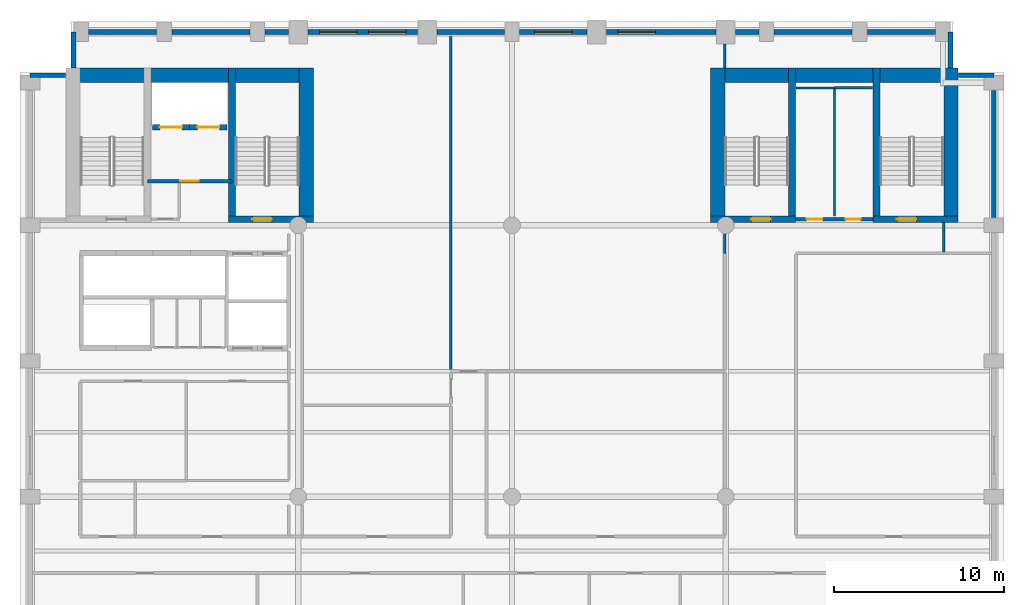
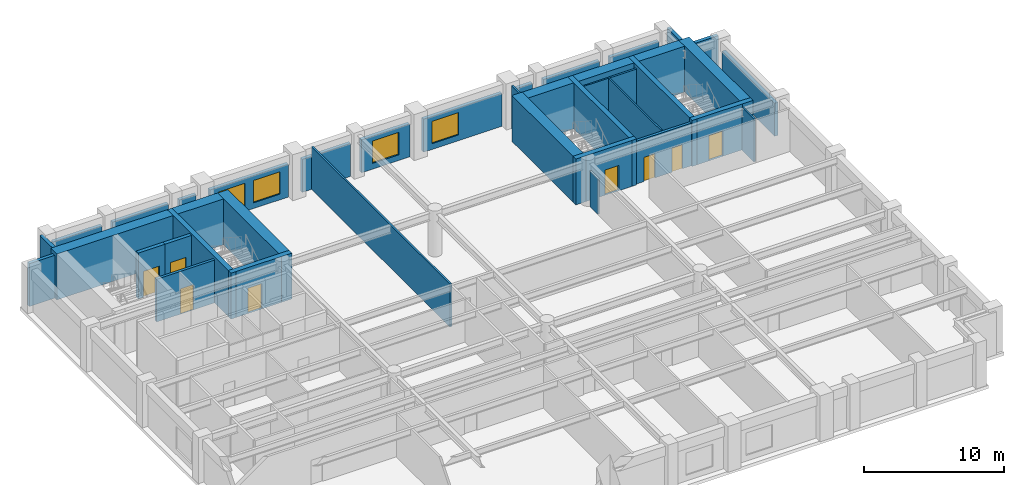
# One storey, part 5 of 8: 37 walls, 8 doors, 4 windows, 12 openings.
"""IFC4 building model written with IfcOpenShell, lengths in metres."""

from ifc_helpers import new_model, si_unit, direction, frame, frame_2d, origin, place, context, subcontext, project, spatial, rectangle, extrude, material, layer, layer_set, type_object, element, fill, save


model = new_model("IFC4")

# Units and contexts
model_context = context("Model", 3, precision=1e-05, world=origin(), true_north=direction((0.0, 1.0)))
body_context = subcontext(model_context, "Body", "Model", "MODEL_VIEW")
ifc_project = project(units=[si_unit("LENGTHUNIT", "METRE"), si_unit("AREAUNIT", "SQUARE_METRE"), si_unit("VOLUMEUNIT", "CUBIC_METRE"), si_unit("PLANEANGLEUNIT", "RADIAN"), si_unit("MASSUNIT", "GRAM", prefix="KILO")], contexts=[model_context])

# Site, building, storey
site_placement = place(None, origin())
site = spatial("IfcSite", under=ifc_project, at=site_placement, CompositionType="ELEMENT")
building_placement = place(site_placement, origin())
building = spatial("IfcBuilding", under=site, at=building_placement, Name="Sulina Concourse Tower", CompositionType="ELEMENT")
storey_placement = place(building_placement, frame((0.0, 0.0, 108.60009765625)))
storey = spatial("IfcBuildingStorey", under=building, at=storey_placement, Name="L26", CompositionType="ELEMENT", Elevation=108.60009765625)

# Wall, opening, door
ifc_material_1 = material(Name="Concrete C50/60", Category="concrete")
ifc_layer_1 = layer(ifc_material_1, 0.300048828125)
ifc_layer_set_1 = layer_set([ifc_layer_1], Name="Concrete C50/60")
wall_type_1 = type_object("IfcWallType", Name="Core Lift Hoistway Wall 300mm", PredefinedType="SOLIDWALL", material=ifc_layer_set_1)
wall_1_placement = place(storey_placement, frame((10.0, 39.780029296875, 0.0), z_axis=(0.0, 0.0, 1.0), x_axis=(-1.0, 0.0, 0.0)))
wall_1 = element("IfcWall", 1, at=wall_1_placement, inside=storey, type_object=wall_type_1, Name="L26 hoistway enclosure wall FFL-1", PredefinedType="SOLIDWALL", context=body_context, shape_type="SweptSolid", body=[
    extrude(rectangle(XDim=2.199951171875, YDim=0.300048828125, at=frame_2d((1.10009765625, 0.0))), origin(), (0.0, 0.0, 1.0), 4.0),
])
opening_1_placement = place(wall_1_placement, frame((0.449951171875, 0.0, 0.0)))
opening_1 = element("IfcOpeningElement", 2, at=opening_1_placement, cuts=wall_1, Name="Opening LD-02", PredefinedType="OPENING", context=body_context, shape_type="SweptSolid", body=[
    extrude(rectangle(XDim=1.300048828125, YDim=2.25, at=frame_2d((0.64990234375, 1.125))), frame((0.0, 0.159912109375, 0.0), z_axis=(0.0, -1.0, 0.0), x_axis=(1.0, 0.0, 0.0)), (0.0, 0.0, 1.0), 0.320068359375),
])
ifc_material_2 = material(Name="Stainless steel lift landing door", Category="steel")
ifc_layer_2 = layer(ifc_material_2, 0.050048828125)
ifc_layer_set_2 = layer_set([ifc_layer_2], Name="Stainless steel lift landing door")
door_type_1 = type_object("IfcDoorType", Name="Firefighting Lift Sliding Landing Door 1300x2250", OperationType="SLIDING_TO_RIGHT", PredefinedType="DOOR", material=ifc_layer_set_2)
door_1_placement = place(opening_1_placement, origin())
door_1 = element("IfcDoor", 3, at=door_1_placement, inside=storey, type_object=door_type_1, Name="L26 lift landing sliding door FFL-1", OperationType="SLIDING_TO_LEFT", OverallHeight=2.25, OverallWidth=1.300048828125, PredefinedType="DOOR", context=body_context, shape_type="SweptSolid", body=[
    extrude(rectangle(XDim=1.300048828125, YDim=2.25, at=frame_2d((0.64990234375, 1.125))), frame((0.0, 0.02490234375, 0.0), z_axis=(0.0, -1.0, 0.0), x_axis=(1.0, 0.0, 0.0)), (0.0, 0.0, 1.0), 0.050048828125),
])
fill(opening_1, door_1)

wall_2_placement = place(storey_placement, frame((12.199951171875, 39.780029296875, 0.0), z_axis=(0.0, 0.0, 1.0), x_axis=(-1.0, 0.0, 0.0)))
wall_2 = element("IfcWall", 4, at=wall_2_placement, inside=storey, type_object=wall_type_1, Name="L26 hoistway enclosure wall FFL-2", PredefinedType="SOLIDWALL", context=body_context, shape_type="SweptSolid", body=[
    extrude(rectangle(XDim=2.199951171875, YDim=0.300048828125, at=frame_2d((1.10009765625, 0.0))), origin(), (0.0, 0.0, 1.0), 4.0),
])
opening_2_placement = place(wall_2_placement, frame((0.449951171875, 0.0, 0.0)))
opening_2 = element("IfcOpeningElement", 5, at=opening_2_placement, cuts=wall_2, Name="Opening LD-02", PredefinedType="OPENING", context=body_context, shape_type="SweptSolid", body=[
    extrude(rectangle(XDim=1.300048828125, YDim=2.25, at=frame_2d((0.64990234375, 1.125))), frame((0.0, 0.159912109375, 0.0), z_axis=(0.0, -1.0, 0.0), x_axis=(1.0, 0.0, 0.0)), (0.0, 0.0, 1.0), 0.320068359375),
])
door_2_placement = place(opening_2_placement, origin())
door_2 = element("IfcDoor", 6, at=door_2_placement, inside=storey, type_object=door_type_1, Name="L26 lift landing sliding door FFL-2", OperationType="SLIDING_TO_RIGHT", OverallHeight=2.25, OverallWidth=1.300048828125, PredefinedType="DOOR", context=body_context, shape_type="SweptSolid", body=[
    extrude(rectangle(XDim=1.300048828125, YDim=2.25, at=frame_2d((0.64990234375, 1.125))), frame((0.0, 0.02490234375, 0.0), z_axis=(0.0, -1.0, 0.0), x_axis=(1.0, 0.0, 0.0)), (0.0, 0.0, 1.0), 0.050048828125),
])
fill(opening_2, door_2)

ifc_material_3 = material(Name="Gypsum board on steel stud", Category="steel")
ifc_layer_3 = layer(ifc_material_3, 0.219970703125)
ifc_layer_set_3 = layer_set([ifc_layer_3], Name="Gypsum board on steel stud")
wall_type_2 = type_object("IfcWallType", Name="Fire-Rated Lobby & Compartment Wall 220mm", PredefinedType="PARTITIONING", material=ifc_layer_set_3)
wall_3_placement = place(storey_placement, frame((7.510009765625, 36.60009765625, 0.0), z_axis=(0.0, 0.0, 1.0), x_axis=(1.0, 0.0, 0.0)))
wall_3 = element("IfcWall", 7, at=wall_3_placement, inside=storey, type_object=wall_type_2, Name="L26 firefighting lobby south fire wall", PredefinedType="PARTITIONING", context=body_context, shape_type="SweptSolid", body=[
    extrude(rectangle(XDim=4.97998046875, YDim=0.219970703125, at=frame_2d((2.489990234375, 0.0))), origin(), (0.0, 0.0, 1.0), 3.724853515625),
])
opening_3_placement = place(wall_3_placement, frame((1.93994140625, 0.0, 0.0)))
opening_3 = element("IfcOpeningElement", 8, at=opening_3_placement, cuts=wall_3, Name="Opening DR-47", PredefinedType="OPENING", context=body_context, shape_type="SweptSolid", body=[
    extrude(rectangle(XDim=1.10009765625, YDim=2.199951171875, at=frame_2d((0.550048828125, 1.10009765625))), frame((0.0, 0.119873046875, 0.0), z_axis=(0.0, -1.0, 0.0), x_axis=(1.0, 0.0, 0.0)), (0.0, 0.0, 1.0), 0.239990234375),
])
ifc_material_4 = material(Name="Galvanised steel acoustic fire leaf", Category="steel")
ifc_layer_4 = layer(ifc_material_4, 0.054931640625)
ifc_layer_set_4 = layer_set([ifc_layer_4], Name="Galvanised steel acoustic fire leaf")
door_type_2 = type_object("IfcDoorType", Name="Firefighting Lobby Fire Door 1100x2200", OperationType="NOTDEFINED", PredefinedType="DOOR", material=ifc_layer_set_4)
door_3_placement = place(opening_3_placement, origin())
door_3 = element("IfcDoor", 9, at=door_3_placement, inside=storey, type_object=door_type_2, Name="L26 firefighting lobby fire door", OperationType="SINGLE_SWING_LEFT", OverallHeight=2.199951171875, OverallWidth=1.10009765625, PredefinedType="DOOR", context=body_context, shape_type="SweptSolid", body=[
    extrude(rectangle(XDim=1.10009765625, YDim=2.199951171875, at=frame_2d((0.550048828125, 1.10009765625))), frame((0.0, 0.02490234375, 0.0), z_axis=(0.0, -1.0, 0.0), x_axis=(1.0, 0.0, 0.0)), (0.0, 0.0, 1.0), 0.050048828125),
])
fill(opening_3, door_3)

# Wall, openings, doors
wall_4_placement = place(storey_placement, frame((45.719970703125, 34.35009765625, 0.0), z_axis=(0.0, 0.0, 1.0), x_axis=(1.0, 0.0, 0.0)))
wall_4 = element("IfcWall", 10, at=wall_4_placement, inside=storey, type_object=wall_type_2, Name="L26 east core south lobby wall", PredefinedType="PARTITIONING", context=body_context, shape_type="SweptSolid", body=[
    extrude(rectangle(XDim=4.56005859375, YDim=0.219970703125, at=frame_2d((2.280029296875, 0.0))), origin(), (0.0, 0.0, 1.0), 3.724853515625),
])
opening_4_placement = place(wall_4_placement, frame((0.64990234375, 0.0, 0.0)))
opening_4 = element("IfcOpeningElement", 11, at=opening_4_placement, cuts=wall_4, Name="Opening DR-61", PredefinedType="OPENING", context=body_context, shape_type="SweptSolid", body=[
    extrude(rectangle(XDim=0.919921875, YDim=2.10009765625, at=frame_2d((0.4599609375, 1.050048828125))), frame((0.0, 0.119873046875, 0.0), z_axis=(0.0, -1.0, 0.0), x_axis=(1.0, 0.0, 0.0)), (0.0, 0.0, 1.0), 0.239990234375),
])
opening_5_placement = place(wall_4_placement, frame((2.949951171875, 0.0, 0.0)))
opening_5 = element("IfcOpeningElement", 12, at=opening_5_placement, cuts=wall_4, Name="Opening DR-38", PredefinedType="OPENING", context=body_context, shape_type="SweptSolid", body=[
    extrude(rectangle(XDim=0.8798828125, YDim=2.10009765625, at=frame_2d((0.43994140625, 1.050048828125))), frame((0.0, 0.119873046875, 0.0), z_axis=(0.0, -1.0, 0.0), x_axis=(1.0, 0.0, 0.0)), (0.0, 0.0, 1.0), 0.239990234375),
])
ifc_material_5 = material(Name="Oak-veneered fire door leaf")
ifc_layer_5 = layer(ifc_material_5, 0.050048828125)
ifc_layer_set_5 = layer_set([ifc_layer_5], Name="Oak-veneered fire door leaf")
door_type_3 = type_object("IfcDoorType", Name="Accessible WC Door 920x2100", OperationType="NOTDEFINED", PredefinedType="DOOR", material=ifc_layer_set_5)
door_4_placement = place(opening_4_placement, origin())
door_4 = element("IfcDoor", 13, at=door_4_placement, inside=storey, type_object=door_type_3, Name="L26 east core accessible wc door", OperationType="SINGLE_SWING_LEFT", OverallHeight=2.10009765625, OverallWidth=0.919921875, PredefinedType="DOOR", context=body_context, shape_type="SweptSolid", body=[
    extrude(rectangle(XDim=0.919921875, YDim=2.10009765625, at=frame_2d((0.4599609375, 1.050048828125))), frame((0.0, 0.02490234375, 0.0), z_axis=(0.0, -1.0, 0.0), x_axis=(1.0, 0.0, 0.0)), (0.0, 0.0, 1.0), 0.050048828125),
])
fill(opening_4, door_4)
ifc_material_6 = material(Name="Galvanised steel acoustic fire leaf", Category="steel")
ifc_layer_6 = layer(ifc_material_6, 0.050048828125)
ifc_layer_set_6 = layer_set([ifc_layer_6], Name="Galvanised steel acoustic fire leaf")
door_type_4 = type_object("IfcDoorType", Name="Service Riser Fire Door 880x2100", OperationType="NOTDEFINED", PredefinedType="DOOR", material=ifc_layer_set_6)
door_5_placement = place(opening_5_placement, origin())
door_5 = element("IfcDoor", 14, at=door_5_placement, inside=storey, type_object=door_type_4, Name="L26 east core store door", OperationType="SINGLE_SWING_RIGHT", OverallHeight=2.10009765625, OverallWidth=0.8798828125, PredefinedType="DOOR", context=body_context, shape_type="SweptSolid", body=[
    extrude(rectangle(XDim=0.8798828125, YDim=2.10009765625, at=frame_2d((0.43994140625, 1.050048828125))), frame((0.0, 0.02490234375, 0.0), z_axis=(0.0, -1.0, 0.0), x_axis=(1.0, 0.0, 0.0)), (0.0, 0.0, 1.0), 0.050048828125),
])
fill(opening_5, door_5)

# Walls
ifc_material_7 = material(Name="Gypsum board on steel stud", Category="steel")
ifc_layer_7 = layer(ifc_material_7, 0.14990234375)
ifc_layer_set_7 = layer_set([ifc_layer_7], Name="Gypsum board on steel stud")
wall_type_3 = type_object("IfcWallType", Name="Inter-Tenancy Acoustic Partition 150mm", PredefinedType="PARTITIONING", material=ifc_layer_set_7)
wall_5_placement = place(storey_placement, frame((48.0, 42.10009765625, 0.0), z_axis=(0.0, 0.0, 1.0), x_axis=(1.0, 0.0, 0.0)))
element("IfcWall", 15, at=wall_5_placement, inside=storey, type_object=wall_type_3, Name="L26 interior partition 029", PredefinedType="PARTITIONING", context=body_context, shape_type="SweptSolid", body=[
    extrude(rectangle(XDim=2.25, YDim=0.14990234375, at=frame_2d((1.125, 0.0))), origin(), (0.0, 0.0, 1.0), 3.724853515625),
])
wall_6_placement = place(storey_placement, frame((25.39990234375, 25.489990234375, 0.0), z_axis=(0.0, 0.0, 1.0), x_axis=(0.0, 1.0, 0.0)))
element("IfcWall", 16, at=wall_6_placement, inside=storey, type_object=wall_type_3, Name="L26 interior partition 047", PredefinedType="PARTITIONING", context=body_context, shape_type="SweptSolid", body=[
    extrude(rectangle(XDim=19.77001953125, YDim=0.14990234375, at=frame_2d((9.885009765625, 0.0))), origin(), (0.0, 0.0, 1.0), 3.724853515625),
])
wall_7_placement = place(storey_placement, frame((41.550048828125, 32.35009765625, 0.0), z_axis=(0.0, 0.0, 1.0), x_axis=(0.0, 1.0, 0.0)))
element("IfcWall", 17, at=wall_7_placement, inside=storey, type_object=wall_type_3, Name="L26 interior partition 055", PredefinedType="PARTITIONING", context=body_context, shape_type="SweptSolid", body=[
    extrude(rectangle(XDim=1.14990234375, YDim=0.14990234375, at=frame_2d((0.574951171875, 0.0))), origin(), (0.0, 0.0, 1.0), 3.06982421875),
])
wall_8_placement = place(storey_placement, frame((41.550048828125, 43.280029296875, 0.0), z_axis=(0.0, 0.0, 1.0), x_axis=(0.0, 1.0, 0.0)))
element("IfcWall", 18, at=wall_8_placement, inside=storey, type_object=wall_type_3, Name="L26 interior partition 056", PredefinedType="PARTITIONING", context=body_context, shape_type="SweptSolid", body=[
    extrude(rectangle(XDim=1.419921875, YDim=0.14990234375, at=frame_2d((0.7099609375, 0.0))), origin(), (0.0, 0.0, 1.0), 3.724853515625),
])
wall_9_placement = place(storey_placement, frame((54.449951171875, 32.425048828125, 0.0), z_axis=(0.0, 0.0, 1.0), x_axis=(0.0, 1.0, 0.0)))
element("IfcWall", 19, at=wall_9_placement, inside=storey, type_object=wall_type_3, Name="L26 interior partition 060", PredefinedType="PARTITIONING", context=body_context, shape_type="SweptSolid", body=[
    extrude(rectangle(XDim=1.724853515625, YDim=0.14990234375, at=frame_2d((0.8623046875, 0.0))), origin(), (0.0, 0.0, 1.0), 3.724853515625),
])

# Wall, opening, door
ifc_material_8 = material(Name="Concrete C60/75", Category="concrete")
ifc_layer_8 = layer(ifc_material_8, 0.39990234375)
ifc_layer_set_8 = layer_set([ifc_layer_8], Name="Concrete C60/75")
wall_type_4 = type_object("IfcWallType", Name="Protected Stair Core Shear Wall 400mm", PredefinedType="SHEAR", material=ifc_layer_set_8)
wall_10_placement = place(storey_placement, frame((12.2900390625, 34.35009765625, 0.0), z_axis=(0.0, 0.0, 1.0), x_axis=(1.0, 0.0, 0.0)))
wall_10 = element("IfcWall", 20, at=wall_10_placement, inside=storey, type_object=wall_type_4, Name="L26 west core shear wall CW-WS2", PredefinedType="SHEAR", context=body_context, shape_type="SweptSolid", body=[
    extrude(rectangle(XDim=5.010009765625, YDim=0.39990234375, at=frame_2d((2.5048828125, 0.0))), origin(), (0.0, 0.0, 1.0), 4.0),
])
opening_6_placement = place(wall_10_placement, frame((1.39990234375, 0.0, 0.0)))
opening_6 = element("IfcOpeningElement", 21, at=opening_6_placement, cuts=wall_10, Name="Opening DR-60", PredefinedType="OPENING", context=body_context, shape_type="SweptSolid", body=[
    extrude(rectangle(XDim=1.14990234375, YDim=2.199951171875, at=frame_2d((0.574951171875, 1.10009765625))), frame((0.0, 0.2099609375, 0.0), z_axis=(0.0, -1.0, 0.0), x_axis=(1.0, 0.0, 0.0)), (0.0, 0.0, 1.0), 0.419921875),
])
ifc_material_9 = material(Name="Galvanised steel acoustic fire leaf", Category="steel")
ifc_layer_9 = layer(ifc_material_9, 0.054931640625)
ifc_layer_set_9 = layer_set([ifc_layer_9], Name="Galvanised steel acoustic fire leaf")
door_type_5 = type_object("IfcDoorType", Name="Protected Exit Stair Fire Door 1150x2200", OperationType="NOTDEFINED", PredefinedType="DOOR", material=ifc_layer_set_9)
door_6_placement = place(opening_6_placement, origin())
door_6 = element("IfcDoor", 22, at=door_6_placement, inside=storey, type_object=door_type_5, Name="L26 stair ST-2 lobby fire door", OperationType="SINGLE_SWING_RIGHT", OverallHeight=2.199951171875, OverallWidth=1.14990234375, PredefinedType="DOOR", context=body_context, shape_type="SweptSolid", body=[
    extrude(rectangle(XDim=1.14990234375, YDim=2.199951171875, at=frame_2d((0.574951171875, 1.10009765625))), frame((0.0, 0.02490234375, 0.0), z_axis=(0.0, -1.0, 0.0), x_axis=(1.0, 0.0, 0.0)), (0.0, 0.0, 1.0), 0.050048828125),
])
fill(opening_6, door_6)

# Wall
wall_11_placement = place(storey_placement, frame((12.489990234375, 34.14990234375, 0.0), z_axis=(0.0, 0.0, 1.0), x_axis=(0.0, 1.0, 0.0)))
element("IfcWall", 23, at=wall_11_placement, inside=storey, type_object=wall_type_4, Name="L26 west core shear wall SW-ST2", PredefinedType="SHEAR", context=body_context, shape_type="SweptSolid", body=[
    extrude(rectangle(XDim=9.130126953125, YDim=0.39990234375, at=frame_2d((4.56494140625, 0.0))), origin(), (0.0, 0.0, 1.0), 4.0),
])

# Wall, opening, door
wall_12_placement = place(storey_placement, frame((40.699951171875, 34.35009765625, 0.0), z_axis=(0.0, 0.0, 1.0), x_axis=(1.0, 0.0, 0.0)))
wall_12 = element("IfcWall", 24, at=wall_12_placement, inside=storey, type_object=wall_type_4, Name="L26 east core shear wall CW-ES1", PredefinedType="SHEAR", context=body_context, shape_type="SweptSolid", body=[
    extrude(rectangle(XDim=5.010009765625, YDim=0.39990234375, at=frame_2d((2.5048828125, 0.0))), origin(), (0.0, 0.0, 1.0), 4.0),
])
opening_7_placement = place(wall_12_placement, frame((2.39990234375, 0.0, 0.0)))
opening_7 = element("IfcOpeningElement", 25, at=opening_7_placement, cuts=wall_12, Name="Opening DR-60", PredefinedType="OPENING", context=body_context, shape_type="SweptSolid", body=[
    extrude(rectangle(XDim=1.14990234375, YDim=2.199951171875, at=frame_2d((0.574951171875, 1.10009765625))), frame((0.0, 0.2099609375, 0.0), z_axis=(0.0, -1.0, 0.0), x_axis=(1.0, 0.0, 0.0)), (0.0, 0.0, 1.0), 0.419921875),
])
door_7_placement = place(opening_7_placement, origin())
door_7 = element("IfcDoor", 26, at=door_7_placement, inside=storey, type_object=door_type_5, Name="L26 stair ST-3 south lobby fire door", OperationType="SINGLE_SWING_RIGHT", OverallHeight=2.199951171875, OverallWidth=1.14990234375, PredefinedType="DOOR", context=body_context, shape_type="SweptSolid", body=[
    extrude(rectangle(XDim=1.14990234375, YDim=2.199951171875, at=frame_2d((0.574951171875, 1.10009765625))), frame((0.0, 0.02490234375, 0.0), z_axis=(0.0, -1.0, 0.0), x_axis=(1.0, 0.0, 0.0)), (0.0, 0.0, 1.0), 0.050048828125),
])
fill(opening_7, door_7)

# Wall
wall_13_placement = place(storey_placement, frame((45.510009765625, 34.14990234375, 0.0), z_axis=(0.0, 0.0, 1.0), x_axis=(0.0, 1.0, 0.0)))
element("IfcWall", 27, at=wall_13_placement, inside=storey, type_object=wall_type_4, Name="L26 east core shear wall SW-ST3", PredefinedType="SHEAR", context=body_context, shape_type="SweptSolid", body=[
    extrude(rectangle(XDim=9.130126953125, YDim=0.39990234375, at=frame_2d((4.56494140625, 0.0))), origin(), (0.0, 0.0, 1.0), 4.0),
])

# Wall, opening, door
wall_14_placement = place(storey_placement, frame((50.2900390625, 34.35009765625, 0.0), z_axis=(0.0, 0.0, 1.0), x_axis=(1.0, 0.0, 0.0)))
wall_14 = element("IfcWall", 28, at=wall_14_placement, inside=storey, type_object=wall_type_4, Name="L26 east core shear wall CW-ES2", PredefinedType="SHEAR", context=body_context, shape_type="SweptSolid", body=[
    extrude(rectangle(XDim=5.010009765625, YDim=0.39990234375, at=frame_2d((2.5048828125, 0.0))), origin(), (0.0, 0.0, 1.0), 4.0),
])
opening_8_placement = place(wall_14_placement, frame((1.39990234375, 0.0, 0.0)))
opening_8 = element("IfcOpeningElement", 29, at=opening_8_placement, cuts=wall_14, Name="Opening DR-60", PredefinedType="OPENING", context=body_context, shape_type="SweptSolid", body=[
    extrude(rectangle(XDim=1.14990234375, YDim=2.199951171875, at=frame_2d((0.574951171875, 1.10009765625))), frame((0.0, 0.2099609375, 0.0), z_axis=(0.0, -1.0, 0.0), x_axis=(1.0, 0.0, 0.0)), (0.0, 0.0, 1.0), 0.419921875),
])
door_8_placement = place(opening_8_placement, origin())
door_8 = element("IfcDoor", 30, at=door_8_placement, inside=storey, type_object=door_type_5, Name="L26 stair ST-4 south lobby fire door", OperationType="SINGLE_SWING_LEFT", OverallHeight=2.199951171875, OverallWidth=1.14990234375, PredefinedType="DOOR", context=body_context, shape_type="SweptSolid", body=[
    extrude(rectangle(XDim=1.14990234375, YDim=2.199951171875, at=frame_2d((0.574951171875, 1.10009765625))), frame((0.0, 0.02490234375, 0.0), z_axis=(0.0, -1.0, 0.0), x_axis=(1.0, 0.0, 0.0)), (0.0, 0.0, 1.0), 0.050048828125),
])
fill(opening_8, door_8)

# Walls
wall_15_placement = place(storey_placement, frame((50.489990234375, 34.14990234375, 0.0), z_axis=(0.0, 0.0, 1.0), x_axis=(0.0, 1.0, 0.0)))
element("IfcWall", 31, at=wall_15_placement, inside=storey, type_object=wall_type_4, Name="L26 east core shear wall SW-ST4", PredefinedType="SHEAR", context=body_context, shape_type="SweptSolid", body=[
    extrude(rectangle(XDim=9.130126953125, YDim=0.39990234375, at=frame_2d((4.56494140625, 0.0))), origin(), (0.0, 0.0, 1.0), 4.0),
])
ifc_material_10 = material(Name="Concrete C60/75", Category="concrete")
ifc_layer_10 = layer(ifc_material_10, 0.85009765625)
ifc_layer_set_10 = layer_set([ifc_layer_10], Name="Concrete C60/75")
wall_type_5 = type_object("IfcWallType", Name="Rear Core Shear Wall 850mm", PredefinedType="SHEAR", material=ifc_layer_set_10)
wall_16_placement = place(storey_placement, frame((2.699951171875, 42.85498046875, 0.0), z_axis=(0.0, 0.0, 1.0), x_axis=(1.0, 0.0, 0.0)))
element("IfcWall", 32, at=wall_16_placement, inside=storey, type_object=wall_type_5, Name="L26 west core shear wall CW-WN", PredefinedType="SHEAR", context=body_context, shape_type="SweptSolid", body=[
    extrude(rectangle(XDim=14.60009765625, YDim=0.85009765625, at=frame_2d((7.300048828125, 0.0))), origin(), (0.0, 0.0, 1.0), 4.0),
])
wall_17_placement = place(storey_placement, frame((16.875, 34.14990234375, 0.0), z_axis=(0.0, 0.0, 1.0), x_axis=(0.0, 1.0, 0.0)))
element("IfcWall", 33, at=wall_17_placement, inside=storey, type_object=wall_type_5, Name="L26 west core shear wall CW-WE", PredefinedType="SHEAR", context=body_context, shape_type="SweptSolid", body=[
    extrude(rectangle(XDim=9.130126953125, YDim=0.85009765625, at=frame_2d((4.56494140625, 0.0))), origin(), (0.0, 0.0, 1.0), 4.0),
])
wall_18_placement = place(storey_placement, frame((40.699951171875, 42.85498046875, 0.0), z_axis=(0.0, 0.0, 1.0), x_axis=(1.0, 0.0, 0.0)))
element("IfcWall", 34, at=wall_18_placement, inside=storey, type_object=wall_type_5, Name="L26 east core shear wall CW-EN", PredefinedType="SHEAR", context=body_context, shape_type="SweptSolid", body=[
    extrude(rectangle(XDim=14.60009765625, YDim=0.85009765625, at=frame_2d((7.300048828125, 0.0))), origin(), (0.0, 0.0, 1.0), 4.0),
])
for number, where, z_axis, x_axis, name in (
    (35, (41.125, 34.14990234375, 0.0), (0.0, 0.0, 1.0), (0.0, 1.0, 0.0), "L26 east core shear wall CW-EW"),
    (36, (54.875, 34.14990234375, 0.0), (0.0, 0.0, 1.0), (0.0, 1.0, 0.0), "L26 east core shear wall CW-EE"),
):
    element("IfcWall", number, at=place(storey_placement, frame(where, z_axis=z_axis, x_axis=x_axis)), inside=storey, type_object=wall_type_5, Name=name, PredefinedType="SHEAR", context=body_context, shape_type="SweptSolid", body=[
        extrude(rectangle(XDim=9.130126953125, YDim=0.85009765625, at=frame_2d((4.56494140625, 0.0))), origin(), (0.0, 0.0, 1.0), 4.0),
    ])
ifc_material_11 = material(Name="Precast concrete C50/60", Category="concrete")
ifc_layer_11 = layer(ifc_material_11, 0.280029296875)
ifc_layer_set_11 = layer_set([ifc_layer_11], Name="Precast concrete C50/60")
wall_type_6 = type_object("IfcWallType", Name="Typical Precast Masonry-Frame Facade Wall 280mm", PredefinedType="SOLIDWALL", material=ifc_layer_set_11)
wall_19_placement = place(storey_placement, frame((4.044921875, 45.39990234375, 0.0), z_axis=(0.0, 0.0, 1.0), x_axis=(1.0, 0.0, 0.0)))
element("IfcWall", 37, at=wall_19_placement, inside=storey, type_object=wall_type_6, Name="L26 exterior precast wall N1", PredefinedType="SOLIDWALL", context=body_context, shape_type="SweptSolid", body=[
    extrude(rectangle(XDim=4.010009765625, YDim=0.280029296875, at=frame_2d((2.0048828125, 0.0))), origin(), (0.0, 0.0, 1.0), 2.875),
])
wall_20_placement = place(storey_placement, frame((8.945068359375, 45.39990234375, 0.0), z_axis=(0.0, 0.0, 1.0), x_axis=(1.0, 0.0, 0.0)))
element("IfcWall", 38, at=wall_20_placement, inside=storey, type_object=wall_type_6, Name="L26 exterior precast wall N2", PredefinedType="SOLIDWALL", context=body_context, shape_type="SweptSolid", body=[
    extrude(rectangle(XDim=4.60986328125, YDim=0.280029296875, at=frame_2d((2.304931640625, 0.0))), origin(), (0.0, 0.0, 1.0), 2.875),
])
wall_21_placement = place(storey_placement, frame((14.445068359375, 45.39990234375, 0.0), z_axis=(0.0, 0.0, 1.0), x_axis=(1.0, 0.0, 0.0)))
element("IfcWall", 39, at=wall_21_placement, inside=storey, type_object=wall_type_6, Name="L26 exterior precast wall N3", PredefinedType="SOLIDWALL", context=body_context, shape_type="SweptSolid", body=[
    extrude(rectangle(XDim=1.385009765625, YDim=0.280029296875, at=frame_2d((0.6923828125, 0.0))), origin(), (0.0, 0.0, 1.0), 2.875),
])

# Wall, openings, windows
wall_22_placement = place(storey_placement, frame((16.969970703125, 45.39990234375, 0.0), z_axis=(0.0, 0.0, 1.0), x_axis=(1.0, 0.0, 0.0)))
wall_22 = element("IfcWall", 40, at=wall_22_placement, inside=storey, type_object=wall_type_6, Name="L26 exterior precast wall N4", PredefinedType="SOLIDWALL", context=body_context, shape_type="SweptSolid", body=[
    extrude(rectangle(XDim=6.4599609375, YDim=0.280029296875, at=frame_2d((3.22998046875, 0.0))), origin(), (0.0, 0.0, 1.0), 2.875),
])
opening_9_placement = place(wall_22_placement, frame((0.686767578125, 0.0, 0.5)))
opening_9 = element("IfcOpeningElement", 41, at=opening_9_placement, cuts=wall_22, Name="Opening WN-76", PredefinedType="OPENING", context=body_context, shape_type="SweptSolid", body=[
    extrude(rectangle(XDim=2.199951171875, YDim=1.949951171875, at=frame_2d((1.10009765625, 0.97509765625))), frame((0.0, 0.14990234375, 0.0), z_axis=(0.0, -1.0, 0.0), x_axis=(1.0, 0.0, 0.0)), (0.0, 0.0, 1.0), 0.300048828125),
])
opening_10_placement = place(wall_22_placement, frame((3.5732421875, 0.0, 0.5)))
opening_10 = element("IfcOpeningElement", 42, at=opening_10_placement, cuts=wall_22, Name="Opening WN-76", PredefinedType="OPENING", context=body_context, shape_type="SweptSolid", body=[
    extrude(rectangle(XDim=2.199951171875, YDim=1.949951171875, at=frame_2d((1.10009765625, 0.97509765625))), frame((0.0, 0.14990234375, 0.0), z_axis=(0.0, -1.0, 0.0), x_axis=(1.0, 0.0, 0.0)), (0.0, 0.0, 1.0), 0.300048828125),
])
ifc_material_12 = material(Name="Low-E solar double glazing in bronze aluminium", Category="aluminium")
window_type = type_object("IfcWindowType", Name="Recessed Spandrel Window 2200x1950", PartitioningType="DOUBLE_PANEL_VERTICAL", PredefinedType="WINDOW", material=ifc_material_12)
window_1_placement = place(opening_9_placement, origin())
window_1 = element("IfcWindow", 43, at=window_1_placement, inside=storey, type_object=window_type, Name="L26 punched window N4-1", OverallHeight=1.949951171875, OverallWidth=2.199951171875, PartitioningType="SINGLE_PANEL", PredefinedType="WINDOW", context=body_context, shape_type="SweptSolid", body=[
    extrude(rectangle(XDim=2.199951171875, YDim=1.949951171875, at=frame_2d((1.10009765625, 0.97509765625))), frame((0.0, 0.030029296875, 0.0), z_axis=(0.0, -1.0, 0.0), x_axis=(1.0, 0.0, 0.0)), (0.0, 0.0, 1.0), 0.06005859375),
])
fill(opening_9, window_1)
window_2_placement = place(opening_10_placement, origin())
window_2 = element("IfcWindow", 44, at=window_2_placement, inside=storey, type_object=window_type, Name="L26 punched window N4-2", OverallHeight=1.949951171875, OverallWidth=2.199951171875, PartitioningType="SINGLE_PANEL", PredefinedType="WINDOW", context=body_context, shape_type="SweptSolid", body=[
    extrude(rectangle(XDim=2.199951171875, YDim=1.949951171875, at=frame_2d((1.10009765625, 0.97509765625))), frame((0.0, 0.030029296875, 0.0), z_axis=(0.0, -1.0, 0.0), x_axis=(1.0, 0.0, 0.0)), (0.0, 0.0, 1.0), 0.06005859375),
])
fill(opening_10, window_2)

# Wall
wall_23_placement = place(storey_placement, frame((24.570068359375, 45.39990234375, 0.0), z_axis=(0.0, 0.0, 1.0), x_axis=(1.0, 0.0, 0.0)))
element("IfcWall", 45, at=wall_23_placement, inside=storey, type_object=wall_type_6, Name="L26 exterior precast wall N5", PredefinedType="SOLIDWALL", context=body_context, shape_type="SweptSolid", body=[
    extrude(rectangle(XDim=3.98486328125, YDim=0.280029296875, at=frame_2d((1.992431640625, 0.0))), origin(), (0.0, 0.0, 1.0), 2.875),
])

# Wall, opening, window
wall_24_placement = place(storey_placement, frame((29.445068359375, 45.39990234375, 0.0), z_axis=(0.0, 0.0, 1.0), x_axis=(1.0, 0.0, 0.0)))
wall_24 = element("IfcWall", 46, at=wall_24_placement, inside=storey, type_object=wall_type_6, Name="L26 exterior precast wall N6", PredefinedType="SOLIDWALL", context=body_context, shape_type="SweptSolid", body=[
    extrude(rectangle(XDim=3.98486328125, YDim=0.280029296875, at=frame_2d((1.992431640625, 0.0))), origin(), (0.0, 0.0, 1.0), 2.875),
])
opening_11_placement = place(wall_24_placement, frame((0.892578125, 0.0, 0.5)))
opening_11 = element("IfcOpeningElement", 47, at=opening_11_placement, cuts=wall_24, Name="Opening WN-76", PredefinedType="OPENING", context=body_context, shape_type="SweptSolid", body=[
    extrude(rectangle(XDim=2.199951171875, YDim=1.949951171875, at=frame_2d((1.10009765625, 0.97509765625))), frame((0.0, 0.14990234375, 0.0), z_axis=(0.0, -1.0, 0.0), x_axis=(1.0, 0.0, 0.0)), (0.0, 0.0, 1.0), 0.300048828125),
])
window_3_placement = place(opening_11_placement, origin())
window_3 = element("IfcWindow", 48, at=window_3_placement, inside=storey, type_object=window_type, Name="L26 punched window N6-1", OverallHeight=1.949951171875, OverallWidth=2.199951171875, PartitioningType="SINGLE_PANEL", PredefinedType="WINDOW", context=body_context, shape_type="SweptSolid", body=[
    extrude(rectangle(XDim=2.199951171875, YDim=1.949951171875, at=frame_2d((1.10009765625, 0.97509765625))), frame((0.0, 0.030029296875, 0.0), z_axis=(0.0, -1.0, 0.0), x_axis=(1.0, 0.0, 0.0)), (0.0, 0.0, 1.0), 0.06005859375),
])
fill(opening_11, window_3)

wall_25_placement = place(storey_placement, frame((34.570068359375, 45.39990234375, 0.0), z_axis=(0.0, 0.0, 1.0), x_axis=(1.0, 0.0, 0.0)))
wall_25 = element("IfcWall", 49, at=wall_25_placement, inside=storey, type_object=wall_type_6, Name="L26 exterior precast wall N7", PredefinedType="SOLIDWALL", context=body_context, shape_type="SweptSolid", body=[
    extrude(rectangle(XDim=6.4599609375, YDim=0.280029296875, at=frame_2d((3.22998046875, 0.0))), origin(), (0.0, 0.0, 1.0), 2.875),
])
opening_12_placement = place(wall_25_placement, frame((0.686767578125, 0.0, 0.5)))
opening_12 = element("IfcOpeningElement", 50, at=opening_12_placement, cuts=wall_25, Name="Opening WN-76", PredefinedType="OPENING", context=body_context, shape_type="SweptSolid", body=[
    extrude(rectangle(XDim=2.199951171875, YDim=1.949951171875, at=frame_2d((1.10009765625, 0.97509765625))), frame((0.0, 0.14990234375, 0.0), z_axis=(0.0, -1.0, 0.0), x_axis=(1.0, 0.0, 0.0)), (0.0, 0.0, 1.0), 0.300048828125),
])
window_4_placement = place(opening_12_placement, origin())
window_4 = element("IfcWindow", 51, at=window_4_placement, inside=storey, type_object=window_type, Name="L26 punched window N7-1", OverallHeight=1.949951171875, OverallWidth=2.199951171875, PartitioningType="SINGLE_PANEL", PredefinedType="WINDOW", context=body_context, shape_type="SweptSolid", body=[
    extrude(rectangle(XDim=2.199951171875, YDim=1.949951171875, at=frame_2d((1.10009765625, 0.97509765625))), frame((0.0, 0.030029296875, 0.0), z_axis=(0.0, -1.0, 0.0), x_axis=(1.0, 0.0, 0.0)), (0.0, 0.0, 1.0), 0.06005859375),
])
fill(opening_12, window_4)

# Walls
wall_26_placement = place(storey_placement, frame((42.169921875, 45.39990234375, 0.0), z_axis=(0.0, 0.0, 1.0), x_axis=(1.0, 0.0, 0.0)))
element("IfcWall", 52, at=wall_26_placement, inside=storey, type_object=wall_type_6, Name="L26 exterior precast wall N8", PredefinedType="SOLIDWALL", context=body_context, shape_type="SweptSolid", body=[
    extrude(rectangle(XDim=1.385009765625, YDim=0.280029296875, at=frame_2d((0.6923828125, 0.0))), origin(), (0.0, 0.0, 1.0), 2.875),
])
wall_27_placement = place(storey_placement, frame((44.445068359375, 45.39990234375, 0.0), z_axis=(0.0, 0.0, 1.0), x_axis=(1.0, 0.0, 0.0)))
element("IfcWall", 53, at=wall_27_placement, inside=storey, type_object=wall_type_6, Name="L26 exterior precast wall N9", PredefinedType="SOLIDWALL", context=body_context, shape_type="SweptSolid", body=[
    extrude(rectangle(XDim=4.60986328125, YDim=0.280029296875, at=frame_2d((2.304931640625, 0.0))), origin(), (0.0, 0.0, 1.0), 2.875),
])
wall_28_placement = place(storey_placement, frame((49.945068359375, 45.39990234375, 0.0), z_axis=(0.0, 0.0, 1.0), x_axis=(1.0, 0.0, 0.0)))
element("IfcWall", 54, at=wall_28_placement, inside=storey, type_object=wall_type_6, Name="L26 exterior precast wall N10", PredefinedType="SOLIDWALL", context=body_context, shape_type="SweptSolid", body=[
    extrude(rectangle(XDim=4.010009765625, YDim=0.280029296875, at=frame_2d((2.0048828125, 0.0))), origin(), (0.0, 0.0, 1.0), 2.875),
])
wall_29_placement = place(storey_placement, frame((57.39990234375, 41.955078125, 0.0), z_axis=(0.0, 0.0, 1.0), x_axis=(0.0, -1.0, 0.0)))
element("IfcWall", 55, at=wall_29_placement, inside=storey, type_object=wall_type_6, Name="L26 exterior precast wall E5", PredefinedType="SOLIDWALL", context=body_context, shape_type="SweptSolid", body=[
    extrude(rectangle(XDim=7.510009765625, YDim=0.280029296875, at=frame_2d((3.7548828125, 0.0))), origin(), (0.0, 0.0, 1.0), 2.875),
])
wall_30_placement = place(storey_placement, frame((0.60009765625, 42.844970703125, 0.0), z_axis=(0.0, 0.0, 1.0), x_axis=(1.0, 0.0, 0.0)))
element("IfcWall", 56, at=wall_30_placement, inside=storey, type_object=wall_type_6, Name="L26 exterior precast wall CNW1", PredefinedType="SOLIDWALL", context=body_context, shape_type="SweptSolid", body=[
    extrude(rectangle(XDim=2.094970703125, YDim=0.280029296875, at=frame_2d((1.04736328125, 0.0))), origin(), (0.0, 0.0, 1.0), 3.724853515625),
])
for number, where, z_axis, x_axis, name in (
    (57, (3.155029296875, 43.284912109375, 0.0), (0.0, 0.0, 1.0), (0.0, 1.0, 0.0), "L26 exterior precast wall CNW2"),
    (58, (54.844970703125, 45.39990234375, 0.0), (0.0, 0.0, 1.0), (0.0, -1.0, 0.0), "L26 exterior precast wall CNE1"),
):
    element("IfcWall", number, at=place(storey_placement, frame(where, z_axis=z_axis, x_axis=x_axis)), inside=storey, type_object=wall_type_6, Name=name, PredefinedType="SOLIDWALL", context=body_context, shape_type="SweptSolid", body=[
        extrude(rectangle(XDim=2.114990234375, YDim=0.280029296875, at=frame_2d((1.0576171875, 0.0))), origin(), (0.0, 0.0, 1.0), 3.724853515625),
    ])
wall_31_placement = place(storey_placement, frame((55.304931640625, 42.844970703125, 0.0), z_axis=(0.0, 0.0, 1.0), x_axis=(1.0, 0.0, 0.0)))
element("IfcWall", 59, at=wall_31_placement, inside=storey, type_object=wall_type_6, Name="L26 exterior precast wall CNE2", PredefinedType="SOLIDWALL", context=body_context, shape_type="SweptSolid", body=[
    extrude(rectangle(XDim=2.094970703125, YDim=0.280029296875, at=frame_2d((1.04736328125, 0.0))), origin(), (0.0, 0.0, 1.0), 3.724853515625),
])
ifc_material_13 = material(Name="Gypsum board on steel stud", Category="steel")
ifc_layer_12 = layer(ifc_material_13, 0.125)
ifc_layer_set_12 = layer_set([ifc_layer_12], Name="Gypsum board on steel stud")
wall_type_7 = type_object("IfcWallType", Name="Wet-Area Moisture-Resistant Partition 125mm", PredefinedType="PARTITIONING", material=ifc_layer_set_12)
wall_32_placement = place(storey_placement, frame((45.75, 42.10009765625, 0.0), z_axis=(0.0, 0.0, 1.0), x_axis=(1.0, 0.0, 0.0)))
element("IfcWall", 60, at=wall_32_placement, inside=storey, type_object=wall_type_7, Name="L26 interior partition 028", PredefinedType="PARTITIONING", context=body_context, shape_type="SweptSolid", body=[
    extrude(rectangle(XDim=2.25, YDim=0.125, at=frame_2d((1.125, 0.0))), origin(), (0.0, 0.0, 1.0), 3.724853515625),
])
wall_33_placement = place(storey_placement, frame((48.0, 34.550048828125, 0.0), z_axis=(0.0, 0.0, 1.0), x_axis=(0.0, 1.0, 0.0)))
element("IfcWall", 61, at=wall_33_placement, inside=storey, type_object=wall_type_7, Name="L26 interior partition 058", PredefinedType="PARTITIONING", context=body_context, shape_type="SweptSolid", body=[
    extrude(rectangle(XDim=7.474853515625, YDim=0.125, at=frame_2d((3.7373046875, 0.0))), origin(), (0.0, 0.0, 1.0), 3.724853515625),
])

save(model, "model.ifc")
